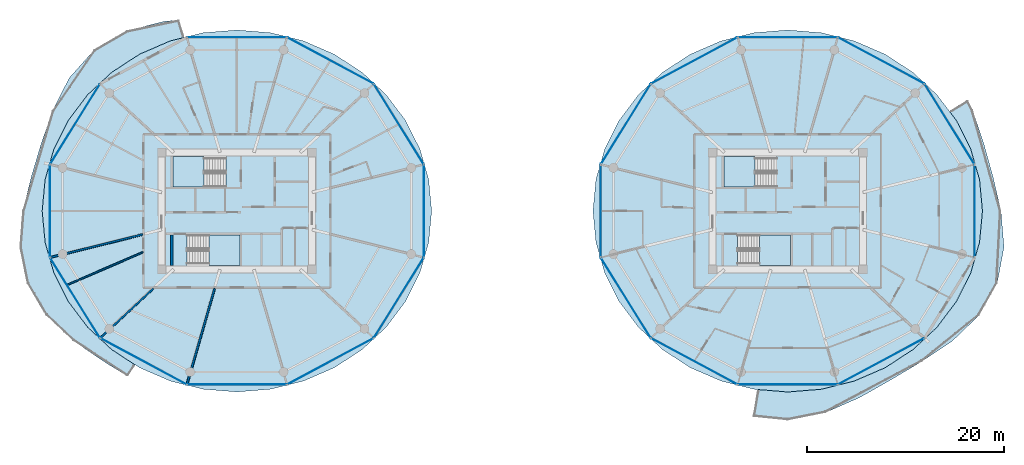
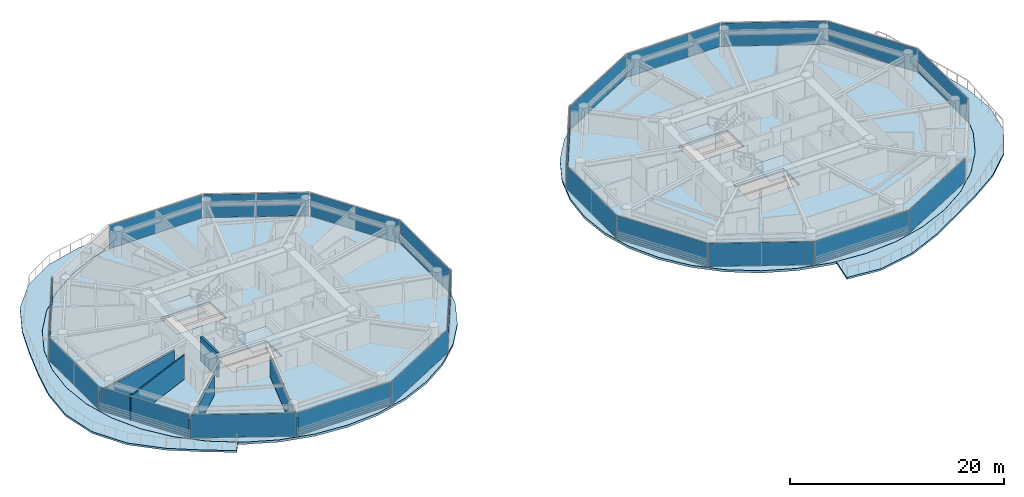
# One storey, part 14 of 27: 22 plates, 8 slabs, 5 walls, 26 elements without a shape of their own.
"""IFC4 building model written with IfcOpenShell, lengths in metres."""

from ifc_helpers import new_model, si_unit, direction, frame, frame_2d, origin, origin_2d, place, context, subcontext, project, spatial, polyline, rectangle, outline, extrude, source, transform, mapped, material, layer, layer_set, type_object, type_shapes, element, aggregate, save


model = new_model("IFC4")

# Units and contexts
model_context = context("Model", 3, precision=1e-05, world=origin(), true_north=direction((0.0, 1.0)))
body_context = subcontext(model_context, "Body", "Model", "MODEL_VIEW")
ifc_project = project(units=[si_unit("LENGTHUNIT", "METRE"), si_unit("AREAUNIT", "SQUARE_METRE"), si_unit("VOLUMEUNIT", "CUBIC_METRE"), si_unit("PLANEANGLEUNIT", "RADIAN"), si_unit("MASSUNIT", "GRAM", prefix="KILO")], contexts=[model_context])

# Site, building, storey
site_placement = place(None, origin())
site = spatial("IfcSite", under=ifc_project, at=site_placement, CompositionType="ELEMENT")
building_placement = place(site_placement, origin())
building = spatial("IfcBuilding", under=site, at=building_placement, Name="Norrkilde Senior Care Towers", CompositionType="ELEMENT")
storey_placement = place(building_placement, frame((0.0, 0.0, 30.75)))
storey = spatial("IfcBuildingStorey", under=building, at=storey_placement, Name="L08", CompositionType="ELEMENT", Elevation=30.75)

# Slabs
ifc_material_1 = material(Name="Concrete C50/60", Category="concrete")
ifc_layer_1 = layer(ifc_material_1, 0.215087890625)
ifc_layer_set_1 = layer_set([ifc_layer_1], Name="Concrete C50/60")
slab_type_1 = type_object("IfcSlabType", Name="Sinusoidal Balcony Ribbon Slab 215", PredefinedType="FLOOR", material=ifc_layer_set_1)
slab_1_placement = place(storey_placement, frame((0.0, 0.0, -0.215087890625)))
element("IfcSlab", 1, at=slab_1_placement, inside=storey, type_object=slab_type_1, Name="L08 Drum W Swirling Senior Balcony 1", PredefinedType="FLOOR", context=body_context, shape_type="SweptSolid", body=[
    extrude(outline(polyline([(-44.664794921875, -13.17919921875), (-47.392822265625, -10.594970703125), (-49.3056640625, -7.3505859375), (-50.0556640625, -3.68017578125), (-49.763916015625, 0.0), (-48.91455078125, 3.463623046875), (-47.91552734375, 6.80615234375), (-46.748779296875, 10.195068359375), (-45.0498046875, 13.526611328125), (-42.505859375, 16.376220703125), (-39.177001953125, 18.31494140625), (-35.444091796875, 19.277587890625), (-33.88720703125, 19.417236328125), (-33.351318359375, 17.649169921875), (-34.773681640625, 17.294921875), (-37.902587890625, 15.939208984375), (-40.73046875, 14.09912109375), (-43.171630859375, 11.83056640625), (-45.151611328125, 9.202392578125), (-46.610595703125, 6.294921875), (-47.504150390625, 3.196044921875), (-47.804931640625, 0.0), (-47.504150390625, -3.196044921875), (-46.610595703125, -6.294921875), (-45.151611328125, -9.202392578125), (-43.171630859375, -11.83056640625), (-40.73046875, -14.09912109375), (-38.34228515625, -15.653076171875), (-39.10986328125, -16.814697265625), (-41.629638671875, -15.252685546875), (-44.664794921875, -13.17919921875)])), origin(), (0.0, 0.0, 1.0), 0.215087890625),
])
slab_2_placement = place(storey_placement, frame((0.0, 0.0, -0.215087890625)))
element("IfcSlab", 2, at=slab_2_placement, inside=storey, type_object=slab_type_1, Name="L08 Drum E Swirling Senior Balcony 1", PredefinedType="FLOOR", context=body_context, shape_type="SweptSolid", body=[
    extrude(outline(polyline([(47.44140625, -10.625244140625), (44.724853515625, -13.2333984375), (41.658447265625, -15.289306640625), (38.546142578125, -17.139404296875), (35.336181640625, -18.958740234375), (31.828857421875, -20.50390625), (28.0, -21.261962890625), (24.4990234375, -20.905517578125), (24.958984375, -18.15771484375), (28.0, -18.405029296875), (31.439208984375, -18.12548828125), (34.773681640625, -17.294921875), (37.902587890625, -15.939208984375), (40.73046875, -14.09912109375), (43.171630859375, -11.83056640625), (45.151611328125, -9.202392578125), (46.610595703125, -6.294921875), (47.504150390625, -3.196044921875), (47.804931640625, 0.0), (47.504150390625, 3.196044921875), (46.610595703125, 6.294921875), (45.151611328125, 9.202392578125), (44.4658203125, 10.11279296875), (46.29931640625, 11.239013671875), (46.8154296875, 10.236328125), (47.947509765625, 6.818603515625), (48.880859375, 3.457275390625), (49.685546875, 0.0), (49.990478515625, -3.667724609375), (49.299072265625, -7.347900390625), (47.44140625, -10.625244140625)])), origin(), (0.0, 0.0, 1.0), 0.215087890625),
])

# Stair, slab
ifc_material_2 = material(Name="Concrete C45/55", Category="concrete")
stair_type = type_object("IfcStairType", Name="Core Protected Dogleg Stair Typical 3050", PredefinedType="HALF_TURN_STAIR", material=ifc_material_2)
stair_1_placement = place(storey_placement, origin())
stair_1 = element("IfcStair", 3, at=stair_1_placement, inside=storey, type_object=stair_type, Name="L08 Protected Core Stair W1", PredefinedType="HALF_TURN_STAIR")
ifc_layer_2 = layer(ifc_material_2, 0.199951171875)
ifc_layer_set_2 = layer_set([ifc_layer_2], Name="Concrete C45/55")
slab_type_2 = type_object("IfcSlabType", Name="Stair Landing Slab 200", PredefinedType="LANDING", material=ifc_layer_set_2)
slab_3_placement = place(storey_placement, frame((0.0, 0.0, 1.324951171875)))
slab_3 = element("IfcSlab", 4, at=slab_3_placement, type_object=slab_type_2, Name="ST-W1 landing 1", PredefinedType="LANDING", context=body_context, shape_type="SweptSolid", body=[
    extrude(outline(polyline([(-31.340087890625, 5.52490234375), (-34.5, 5.52490234375), (-34.5, 2.449951171875), (-31.340087890625, 2.449951171875), (-31.340087890625, 5.52490234375)])), origin(), (0.0, 0.0, 1.0), 0.199951171875),
])
aggregate(stair_1, [slab_3])

stair_2_placement = place(storey_placement, origin())
stair_2 = element("IfcStair", 5, at=stair_2_placement, inside=storey, type_object=stair_type, Name="L08 Protected Core Stair W2", PredefinedType="HALF_TURN_STAIR")
slab_4_placement = place(storey_placement, frame((0.0, 0.0, 1.324951171875)))
slab_4 = element("IfcSlab", 6, at=slab_4_placement, type_object=slab_type_2, Name="ST-W2 landing 1", PredefinedType="LANDING", context=body_context, shape_type="SweptSolid", body=[
    extrude(outline(polyline([(-30.860107421875, -5.52490234375), (-27.699951171875, -5.52490234375), (-27.699951171875, -2.449951171875), (-30.860107421875, -2.449951171875), (-30.860107421875, -5.52490234375)])), origin(), (0.0, 0.0, 1.0), 0.199951171875),
])
aggregate(stair_2, [slab_4])

stair_3_placement = place(storey_placement, origin())
stair_3 = element("IfcStair", 7, at=stair_3_placement, inside=storey, type_object=stair_type, Name="L08 Protected Core Stair E1", PredefinedType="HALF_TURN_STAIR")
slab_5_placement = place(storey_placement, frame((0.0, 0.0, 1.324951171875)))
slab_5 = element("IfcSlab", 8, at=slab_5_placement, type_object=slab_type_2, Name="ST-E1 landing 1", PredefinedType="LANDING", context=body_context, shape_type="SweptSolid", body=[
    extrude(outline(polyline([(24.659912109375, 5.52490234375), (21.5, 5.52490234375), (21.5, 2.449951171875), (24.659912109375, 2.449951171875), (24.659912109375, 5.52490234375)])), origin(), (0.0, 0.0, 1.0), 0.199951171875),
])
aggregate(stair_3, [slab_5])

stair_4_placement = place(storey_placement, origin())
stair_4 = element("IfcStair", 9, at=stair_4_placement, inside=storey, type_object=stair_type, Name="L08 Protected Core Stair E2", PredefinedType="HALF_TURN_STAIR")
slab_6_placement = place(storey_placement, frame((0.0, 0.0, 1.324951171875)))
slab_6 = element("IfcSlab", 10, at=slab_6_placement, type_object=slab_type_2, Name="ST-E2 landing 1", PredefinedType="LANDING", context=body_context, shape_type="SweptSolid", body=[
    extrude(outline(polyline([(25.139892578125, -5.52490234375), (28.300048828125, -5.52490234375), (28.300048828125, -2.449951171875), (25.139892578125, -2.449951171875), (25.139892578125, -5.52490234375)])), origin(), (0.0, 0.0, 1.0), 0.199951171875),
])
aggregate(stair_4, [slab_6])

# Slabs
ifc_layer_3 = layer(ifc_material_1, 0.260009765625)
ifc_layer_set_3 = layer_set([ifc_layer_3], Name="Concrete C50/60")
slab_type_3 = type_object("IfcSlabType", Name="Tower Care Floor Slab 260", PredefinedType="FLOOR", material=ifc_layer_set_3)
slab_7_placement = place(storey_placement, frame((0.0, 0.0, -0.260009765625)))
element("IfcSlab", 11, at=slab_7_placement, inside=storey, type_object=slab_type_3, Name="L08 Drum W Structural Floor Slab", PredefinedType="FLOOR", context=body_context, shape_type="SweptSolid", body=[
    extrude(outline(polyline([(-9.39404296875, -6.293212890625), (-10.852783203125, -9.199951171875), (-12.832275390625, -11.827392578125), (-15.272705078125, -14.09521484375), (-18.10009765625, -15.934814453125), (-21.22802734375, -17.290283203125), (-24.561767578125, -18.120361328125), (-28.0, -18.39990234375), (-31.438232421875, -18.120361328125), (-34.77197265625, -17.290283203125), (-37.89990234375, -15.934814453125), (-40.727294921875, -14.09521484375), (-43.167724609375, -11.827392578125), (-45.147216796875, -9.199951171875), (-46.60595703125, -6.293212890625), (-47.499267578125, -3.195068359375), (-47.800048828125, 0.0), (-47.499267578125, 3.195068359375), (-46.60595703125, 6.293212890625), (-45.147216796875, 9.199951171875), (-43.167724609375, 11.827392578125), (-40.727294921875, 14.09521484375), (-37.89990234375, 15.934814453125), (-34.77197265625, 17.290283203125), (-31.438232421875, 18.120361328125), (-28.0, 18.39990234375), (-24.561767578125, 18.120361328125), (-21.22802734375, 17.290283203125), (-18.10009765625, 15.934814453125), (-15.272705078125, 14.09521484375), (-12.832275390625, 11.827392578125), (-10.852783203125, 9.199951171875), (-9.39404296875, 6.293212890625), (-8.500732421875, 3.195068359375), (-8.199951171875, 0.0), (-8.500732421875, -3.195068359375), (-9.39404296875, -6.293212890625)]), holes=[polyline([(-34.48193359375, 2.468017578125), (-29.117919921875, 2.468017578125), (-29.117919921875, 5.52490234375), (-34.48193359375, 5.52490234375), (-34.48193359375, 2.468017578125)]), polyline([(-27.718017578125, -5.52490234375), (-27.718017578125, -2.468017578125), (-33.08203125, -2.468017578125), (-33.08203125, -5.52490234375), (-27.718017578125, -5.52490234375)])]), origin(), (0.0, 0.0, 1.0), 0.260009765625),
])
slab_8_placement = place(storey_placement, frame((0.0, 0.0, -0.260009765625)))
element("IfcSlab", 12, at=slab_8_placement, inside=storey, type_object=slab_type_3, Name="L08 Drum E Structural Floor Slab", PredefinedType="FLOOR", context=body_context, shape_type="SweptSolid", body=[
    extrude(outline(polyline([(46.60595703125, -6.293212890625), (45.147216796875, -9.199951171875), (43.167724609375, -11.827392578125), (40.727294921875, -14.09521484375), (37.89990234375, -15.934814453125), (34.77197265625, -17.290283203125), (31.438232421875, -18.120361328125), (28.0, -18.39990234375), (24.561767578125, -18.120361328125), (21.22802734375, -17.290283203125), (18.10009765625, -15.934814453125), (15.272705078125, -14.09521484375), (12.832275390625, -11.827392578125), (10.852783203125, -9.199951171875), (9.39404296875, -6.293212890625), (8.500732421875, -3.195068359375), (8.199951171875, 0.0), (8.500732421875, 3.195068359375), (9.39404296875, 6.293212890625), (10.852783203125, 9.199951171875), (12.832275390625, 11.827392578125), (15.272705078125, 14.09521484375), (18.10009765625, 15.934814453125), (21.22802734375, 17.290283203125), (24.561767578125, 18.120361328125), (28.0, 18.39990234375), (31.438232421875, 18.120361328125), (34.77197265625, 17.290283203125), (37.89990234375, 15.934814453125), (40.727294921875, 14.09521484375), (43.167724609375, 11.827392578125), (45.147216796875, 9.199951171875), (46.60595703125, 6.293212890625), (47.499267578125, 3.195068359375), (47.800048828125, 0.0), (47.499267578125, -3.195068359375), (46.60595703125, -6.293212890625)]), holes=[polyline([(21.51806640625, 2.468017578125), (26.882080078125, 2.468017578125), (26.882080078125, 5.52490234375), (21.51806640625, 5.52490234375), (21.51806640625, 2.468017578125)]), polyline([(28.281982421875, -5.52490234375), (28.281982421875, -2.468017578125), (22.91796875, -2.468017578125), (22.91796875, -5.52490234375), (28.281982421875, -5.52490234375)])]), origin(), (0.0, 0.0, 1.0), 0.260009765625),
])

# Curtain wall, plate
ifc_material_3 = material(Name="Triple Low-E Insulated Glazing", Category="glass")
ifc_layer_4 = layer(ifc_material_3, 0.199951171875)
ifc_layer_set_4 = layer_set([ifc_layer_4], Name="Triple Low-E Insulated Glazing")
curtain_wall_type = type_object("IfcCurtainWallType", Name="CW2 Zone 1 Memory Care Curtain Wall", PredefinedType="NOTDEFINED", material=ifc_layer_set_4)
curtain_wall_1_placement = place(storey_placement, origin())
curtain_wall_1 = element("IfcCurtainWall", 13, at=curtain_wall_1_placement, inside=storey, type_object=curtain_wall_type, Name="L08 Drum W Curtain Wall 00", PredefinedType="NOTDEFINED")
ifc_layer_5 = layer(ifc_material_3, 0.035888671875)
ifc_layer_set_5 = layer_set([ifc_layer_5], Name="Triple Low-E Insulated Glazing")
plate_type = type_object("IfcPlateType", Name="Triple Low-E Vision Curtain Panel 36", PredefinedType="CURTAIN_PANEL", material=ifc_layer_set_5)
shared_shape_1 = source(origin(), body_context, "Body", "SweptSolid", [
    extrude(rectangle(XDim=9.518798828125, YDim=0.035888671875, at=origin_2d()), origin(), (0.0, 0.0, 1.0), 2.669921875),
])
plate_1_placement = place(storey_placement, frame((-11.537353515625, 8.82861328125, 0.06005859375), z_axis=(0.0, 0.0, 1.0), x_axis=(0.527900951871, -0.849305943117, 0.0)))
plate_1 = element("IfcPlate", 14, at=plate_1_placement, type_object=plate_type, Name="CW-2 panel 1.1", PredefinedType="CURTAIN_PANEL", context=body_context, shape_type="MappedRepresentation", body=[
    mapped(shared_shape_1, transform((0.0, 0.0, 0.0), x_axis=(1.0, 0.0, 0.0), y_axis=(0.0, 1.0, 0.0), z_axis=(0.0, 0.0, 1.0), scale=1.0)),
])
aggregate(curtain_wall_1, [plate_1])

curtain_wall_2_placement = place(storey_placement, origin())
curtain_wall_2 = element("IfcCurtainWall", 15, at=curtain_wall_2_placement, inside=storey, type_object=curtain_wall_type, Name="L08 Drum W Curtain Wall 04", PredefinedType="NOTDEFINED")
plate_2_placement = place(storey_placement, frame((-44.462646484375, 8.82861328125, 0.06005859375), z_axis=(0.0, 0.0, 1.0), x_axis=(0.527900951871, 0.849305943117, 0.0)))
plate_2 = element("IfcPlate", 16, at=plate_2_placement, type_object=plate_type, Name="CW-2 panel 1.1", PredefinedType="CURTAIN_PANEL", context=body_context, shape_type="MappedRepresentation", body=[
    mapped(shared_shape_1, transform((0.0, 0.0, 0.0), x_axis=(1.0, 0.0, 0.0), y_axis=(0.0, 1.0, 0.0), z_axis=(0.0, 0.0, 1.0), scale=1.0)),
])
aggregate(curtain_wall_2, [plate_2])

curtain_wall_3_placement = place(storey_placement, origin())
curtain_wall_3 = element("IfcCurtainWall", 17, at=curtain_wall_3_placement, inside=storey, type_object=curtain_wall_type, Name="L08 Drum W Curtain Wall 06", PredefinedType="NOTDEFINED")
plate_3_placement = place(storey_placement, frame((-44.462646484375, -8.82861328125, 0.06005859375), z_axis=(0.0, 0.0, 1.0), x_axis=(-0.527900951871, 0.849305943117, 0.0)))
plate_3 = element("IfcPlate", 18, at=plate_3_placement, type_object=plate_type, Name="CW-2 panel 1.1", PredefinedType="CURTAIN_PANEL", context=body_context, shape_type="MappedRepresentation", body=[
    mapped(shared_shape_1, transform((0.0, 0.0, 0.0), x_axis=(1.0, 0.0, 0.0), y_axis=(0.0, 1.0, 0.0), z_axis=(0.0, 0.0, 1.0), scale=1.0)),
])
aggregate(curtain_wall_3, [plate_3])

curtain_wall_4_placement = place(storey_placement, origin())
curtain_wall_4 = element("IfcCurtainWall", 19, at=curtain_wall_4_placement, inside=storey, type_object=curtain_wall_type, Name="L08 Drum W Curtain Wall 10", PredefinedType="NOTDEFINED")
plate_4_placement = place(storey_placement, frame((-11.537353515625, -8.82861328125, 0.06005859375), z_axis=(0.0, 0.0, 1.0), x_axis=(-0.527900951871, -0.849305943117, 0.0)))
plate_4 = element("IfcPlate", 20, at=plate_4_placement, type_object=plate_type, Name="CW-2 panel 1.1", PredefinedType="CURTAIN_PANEL", context=body_context, shape_type="MappedRepresentation", body=[
    mapped(shared_shape_1, transform((0.0, 0.0, 0.0), x_axis=(1.0, 0.0, 0.0), y_axis=(0.0, 1.0, 0.0), z_axis=(0.0, 0.0, 1.0), scale=1.0)),
])
aggregate(curtain_wall_4, [plate_4])

curtain_wall_5_placement = place(storey_placement, origin())
curtain_wall_5 = element("IfcCurtainWall", 21, at=curtain_wall_5_placement, inside=storey, type_object=curtain_wall_type, Name="L08 Drum E Curtain Wall 00", PredefinedType="NOTDEFINED")
plate_5_placement = place(storey_placement, frame((44.462646484375, 8.82861328125, 0.06005859375), z_axis=(0.0, 0.0, 1.0), x_axis=(0.527900951871, -0.849305943117, 0.0)))
plate_5 = element("IfcPlate", 22, at=plate_5_placement, type_object=plate_type, Name="CW-2 panel 1.1", PredefinedType="CURTAIN_PANEL", context=body_context, shape_type="MappedRepresentation", body=[
    mapped(shared_shape_1, transform((0.0, 0.0, 0.0), x_axis=(1.0, 0.0, 0.0), y_axis=(0.0, 1.0, 0.0), z_axis=(0.0, 0.0, 1.0), scale=1.0)),
])
aggregate(curtain_wall_5, [plate_5])

curtain_wall_6_placement = place(storey_placement, origin())
curtain_wall_6 = element("IfcCurtainWall", 23, at=curtain_wall_6_placement, inside=storey, type_object=curtain_wall_type, Name="L08 Drum E Curtain Wall 04", PredefinedType="NOTDEFINED")
plate_6_placement = place(storey_placement, frame((11.537353515625, 8.82861328125, 0.06005859375), z_axis=(0.0, 0.0, 1.0), x_axis=(0.527900951871, 0.849305943117, 0.0)))
plate_6 = element("IfcPlate", 24, at=plate_6_placement, type_object=plate_type, Name="CW-2 panel 1.1", PredefinedType="CURTAIN_PANEL", context=body_context, shape_type="MappedRepresentation", body=[
    mapped(shared_shape_1, transform((0.0, 0.0, 0.0), x_axis=(1.0, 0.0, 0.0), y_axis=(0.0, 1.0, 0.0), z_axis=(0.0, 0.0, 1.0), scale=1.0)),
])
aggregate(curtain_wall_6, [plate_6])

curtain_wall_7_placement = place(storey_placement, origin())
curtain_wall_7 = element("IfcCurtainWall", 25, at=curtain_wall_7_placement, inside=storey, type_object=curtain_wall_type, Name="L08 Drum E Curtain Wall 06", PredefinedType="NOTDEFINED")
plate_7_placement = place(storey_placement, frame((11.537353515625, -8.82861328125, 0.06005859375), z_axis=(0.0, 0.0, 1.0), x_axis=(-0.527900951871, 0.849305943117, 0.0)))
plate_7 = element("IfcPlate", 26, at=plate_7_placement, type_object=plate_type, Name="CW-2 panel 1.1", PredefinedType="CURTAIN_PANEL", context=body_context, shape_type="MappedRepresentation", body=[
    mapped(shared_shape_1, transform((0.0, 0.0, 0.0), x_axis=(1.0, 0.0, 0.0), y_axis=(0.0, 1.0, 0.0), z_axis=(0.0, 0.0, 1.0), scale=1.0)),
])
aggregate(curtain_wall_7, [plate_7])

curtain_wall_8_placement = place(storey_placement, origin())
curtain_wall_8 = element("IfcCurtainWall", 27, at=curtain_wall_8_placement, inside=storey, type_object=curtain_wall_type, Name="L08 Drum W Curtain Wall 01", PredefinedType="NOTDEFINED")
shared_shape_2 = source(origin(), body_context, "Body", "SweptSolid", [
    extrude(rectangle(XDim=9.880859375, YDim=0.035888671875, at=origin_2d()), origin(), (0.0, 0.0, 1.0), 2.669921875),
])
plate_8_placement = place(storey_placement, frame((-18.495361328125, 15.29150390625, 0.06005859375), z_axis=(0.0, 0.0, 1.0), x_axis=(0.881272866403, -0.472607802456, 0.0)))
plate_8 = element("IfcPlate", 28, at=plate_8_placement, type_object=plate_type, Name="CW-2 panel 1.1", PredefinedType="CURTAIN_PANEL", context=body_context, shape_type="MappedRepresentation", body=[
    mapped(shared_shape_2, transform((0.0, 0.0, 0.0), x_axis=(1.0, 0.0, 0.0), y_axis=(0.0, 1.0, 0.0), z_axis=(0.0, 0.0, 1.0), scale=1.0)),
])
aggregate(curtain_wall_8, [plate_8])

curtain_wall_9_placement = place(storey_placement, origin())
curtain_wall_9 = element("IfcCurtainWall", 29, at=curtain_wall_9_placement, inside=storey, type_object=curtain_wall_type, Name="L08 Drum W Curtain Wall 07", PredefinedType="NOTDEFINED")
plate_9_placement = place(storey_placement, frame((-37.504638671875, -15.29150390625, 0.06005859375), z_axis=(0.0, 0.0, 1.0), x_axis=(-0.881272866403, 0.472607802456, 0.0)))
plate_9 = element("IfcPlate", 30, at=plate_9_placement, type_object=plate_type, Name="CW-2 panel 1.1", PredefinedType="CURTAIN_PANEL", context=body_context, shape_type="MappedRepresentation", body=[
    mapped(shared_shape_2, transform((0.0, 0.0, 0.0), x_axis=(1.0, 0.0, 0.0), y_axis=(0.0, 1.0, 0.0), z_axis=(0.0, 0.0, 1.0), scale=1.0)),
])
aggregate(curtain_wall_9, [plate_9])

curtain_wall_10_placement = place(storey_placement, origin())
curtain_wall_10 = element("IfcCurtainWall", 31, at=curtain_wall_10_placement, inside=storey, type_object=curtain_wall_type, Name="L08 Drum W Curtain Wall 09", PredefinedType="NOTDEFINED")
plate_10_placement = place(storey_placement, frame((-18.495361328125, -15.29150390625, 0.06005859375), z_axis=(0.0, 0.0, 1.0), x_axis=(-0.881272866403, -0.472607802456, 0.0)))
plate_10 = element("IfcPlate", 32, at=plate_10_placement, type_object=plate_type, Name="CW-2 panel 1.1", PredefinedType="CURTAIN_PANEL", context=body_context, shape_type="MappedRepresentation", body=[
    mapped(shared_shape_2, transform((0.0, 0.0, 0.0), x_axis=(1.0, 0.0, 0.0), y_axis=(0.0, 1.0, 0.0), z_axis=(0.0, 0.0, 1.0), scale=1.0)),
])
aggregate(curtain_wall_10, [plate_10])

curtain_wall_11_placement = place(storey_placement, origin())
curtain_wall_11 = element("IfcCurtainWall", 33, at=curtain_wall_11_placement, inside=storey, type_object=curtain_wall_type, Name="L08 Drum E Curtain Wall 01", PredefinedType="NOTDEFINED")
plate_11_placement = place(storey_placement, frame((37.504638671875, 15.29150390625, 0.06005859375), z_axis=(0.0, 0.0, 1.0), x_axis=(0.881272866403, -0.472607802456, 0.0)))
plate_11 = element("IfcPlate", 34, at=plate_11_placement, type_object=plate_type, Name="CW-2 panel 1.1", PredefinedType="CURTAIN_PANEL", context=body_context, shape_type="MappedRepresentation", body=[
    mapped(shared_shape_2, transform((0.0, 0.0, 0.0), x_axis=(1.0, 0.0, 0.0), y_axis=(0.0, 1.0, 0.0), z_axis=(0.0, 0.0, 1.0), scale=1.0)),
])
aggregate(curtain_wall_11, [plate_11])

curtain_wall_12_placement = place(storey_placement, origin())
curtain_wall_12 = element("IfcCurtainWall", 35, at=curtain_wall_12_placement, inside=storey, type_object=curtain_wall_type, Name="L08 Drum E Curtain Wall 03", PredefinedType="NOTDEFINED")
plate_12_placement = place(storey_placement, frame((18.495361328125, 15.29150390625, 0.06005859375), z_axis=(0.0, 0.0, 1.0), x_axis=(0.881272866403, 0.472607802456, 0.0)))
plate_12 = element("IfcPlate", 36, at=plate_12_placement, type_object=plate_type, Name="CW-2 panel 1.1", PredefinedType="CURTAIN_PANEL", context=body_context, shape_type="MappedRepresentation", body=[
    mapped(shared_shape_2, transform((0.0, 0.0, 0.0), x_axis=(1.0, 0.0, 0.0), y_axis=(0.0, 1.0, 0.0), z_axis=(0.0, 0.0, 1.0), scale=1.0)),
])
aggregate(curtain_wall_12, [plate_12])

curtain_wall_13_placement = place(storey_placement, origin())
curtain_wall_13 = element("IfcCurtainWall", 37, at=curtain_wall_13_placement, inside=storey, type_object=curtain_wall_type, Name="L08 Drum E Curtain Wall 07", PredefinedType="NOTDEFINED")
plate_13_placement = place(storey_placement, frame((18.495361328125, -15.29150390625, 0.06005859375), z_axis=(0.0, 0.0, 1.0), x_axis=(-0.881272866403, 0.472607802456, 0.0)))
plate_13 = element("IfcPlate", 38, at=plate_13_placement, type_object=plate_type, Name="CW-2 panel 1.1", PredefinedType="CURTAIN_PANEL", context=body_context, shape_type="MappedRepresentation", body=[
    mapped(shared_shape_2, transform((0.0, 0.0, 0.0), x_axis=(1.0, 0.0, 0.0), y_axis=(0.0, 1.0, 0.0), z_axis=(0.0, 0.0, 1.0), scale=1.0)),
])
aggregate(curtain_wall_13, [plate_13])

curtain_wall_14_placement = place(storey_placement, origin())
curtain_wall_14 = element("IfcCurtainWall", 39, at=curtain_wall_14_placement, inside=storey, type_object=curtain_wall_type, Name="L08 Drum E Curtain Wall 09", PredefinedType="NOTDEFINED")
plate_14_placement = place(storey_placement, frame((37.504638671875, -15.29150390625, 0.06005859375), z_axis=(0.0, 0.0, 1.0), x_axis=(-0.881272866403, -0.472607802456, 0.0)))
plate_14 = element("IfcPlate", 40, at=plate_14_placement, type_object=plate_type, Name="CW-2 panel 1.1", PredefinedType="CURTAIN_PANEL", context=body_context, shape_type="MappedRepresentation", body=[
    mapped(shared_shape_2, transform((0.0, 0.0, 0.0), x_axis=(1.0, 0.0, 0.0), y_axis=(0.0, 1.0, 0.0), z_axis=(0.0, 0.0, 1.0), scale=1.0)),
])
aggregate(curtain_wall_14, [plate_14])

curtain_wall_15_placement = place(storey_placement, origin())
curtain_wall_15 = element("IfcCurtainWall", 41, at=curtain_wall_15_placement, inside=storey, type_object=curtain_wall_type, Name="L08 Drum W Curtain Wall 05", PredefinedType="NOTDEFINED")
shared_shape_3 = source(origin(), body_context, "Body", "SweptSolid", [
    extrude(rectangle(XDim=9.33251953125, YDim=0.035888671875, at=origin_2d()), origin(), (0.0, 0.0, 1.0), 2.669921875),
])
plate_15_placement = place(storey_placement, frame((-47.009521484375, 0.0, 0.06005859375), z_axis=(0.0, 0.0, 1.0), x_axis=(0.0, 1.0, 0.0)))
plate_15 = element("IfcPlate", 42, at=plate_15_placement, type_object=plate_type, Name="CW-2 panel 1.1", PredefinedType="CURTAIN_PANEL", context=body_context, shape_type="MappedRepresentation", body=[
    mapped(shared_shape_3, transform((0.0, 0.0, 0.0), x_axis=(1.0, 0.0, 0.0), y_axis=(0.0, 1.0, 0.0), z_axis=(0.0, 0.0, 1.0), scale=1.0)),
])
aggregate(curtain_wall_15, [plate_15])

curtain_wall_16_placement = place(storey_placement, origin())
curtain_wall_16 = element("IfcCurtainWall", 43, at=curtain_wall_16_placement, inside=storey, type_object=curtain_wall_type, Name="L08 Drum W Curtain Wall 11", PredefinedType="NOTDEFINED")
plate_16_placement = place(storey_placement, frame((-8.990478515625, 0.0, 0.06005859375), z_axis=(0.0, 0.0, 1.0), x_axis=(0.0, -1.0, 0.0)))
plate_16 = element("IfcPlate", 44, at=plate_16_placement, type_object=plate_type, Name="CW-2 panel 1.1", PredefinedType="CURTAIN_PANEL", context=body_context, shape_type="MappedRepresentation", body=[
    mapped(shared_shape_3, transform((0.0, 0.0, 0.0), x_axis=(1.0, 0.0, 0.0), y_axis=(0.0, 1.0, 0.0), z_axis=(0.0, 0.0, 1.0), scale=1.0)),
])
aggregate(curtain_wall_16, [plate_16])

curtain_wall_17_placement = place(storey_placement, origin())
curtain_wall_17 = element("IfcCurtainWall", 45, at=curtain_wall_17_placement, inside=storey, type_object=curtain_wall_type, Name="L08 Drum E Curtain Wall 05", PredefinedType="NOTDEFINED")
plate_17_placement = place(storey_placement, frame((8.990478515625, 0.0, 0.06005859375), z_axis=(0.0, 0.0, 1.0), x_axis=(0.0, 1.0, 0.0)))
plate_17 = element("IfcPlate", 46, at=plate_17_placement, type_object=plate_type, Name="CW-2 panel 1.1", PredefinedType="CURTAIN_PANEL", context=body_context, shape_type="MappedRepresentation", body=[
    mapped(shared_shape_3, transform((0.0, 0.0, 0.0), x_axis=(1.0, 0.0, 0.0), y_axis=(0.0, 1.0, 0.0), z_axis=(0.0, 0.0, 1.0), scale=1.0)),
])
aggregate(curtain_wall_17, [plate_17])

curtain_wall_18_placement = place(storey_placement, origin())
curtain_wall_18 = element("IfcCurtainWall", 47, at=curtain_wall_18_placement, inside=storey, type_object=curtain_wall_type, Name="L08 Drum E Curtain Wall 11", PredefinedType="NOTDEFINED")
plate_18_placement = place(storey_placement, frame((47.009521484375, 0.0, 0.06005859375), z_axis=(0.0, 0.0, 1.0), x_axis=(0.0, -1.0, 0.0)))
plate_18 = element("IfcPlate", 48, at=plate_18_placement, type_object=plate_type, Name="CW-2 panel 1.1", PredefinedType="CURTAIN_PANEL", context=body_context, shape_type="MappedRepresentation", body=[
    mapped(shared_shape_3, transform((0.0, 0.0, 0.0), x_axis=(1.0, 0.0, 0.0), y_axis=(0.0, 1.0, 0.0), z_axis=(0.0, 0.0, 1.0), scale=1.0)),
])
aggregate(curtain_wall_18, [plate_18])

curtain_wall_19_placement = place(storey_placement, origin())
curtain_wall_19 = element("IfcCurtainWall", 49, at=curtain_wall_19_placement, inside=storey, type_object=curtain_wall_type, Name="L08 Drum W Curtain Wall 02", PredefinedType="NOTDEFINED")
shared_shape_4 = source(origin(), body_context, "Body", "SweptSolid", [
    extrude(rectangle(XDim=10.05712890625, YDim=0.035888671875, at=origin_2d()), origin(), (0.0, 0.0, 1.0), 2.669921875),
])
type_shapes(plate_type, [shared_shape_1, shared_shape_2, shared_shape_3, shared_shape_4])
plate_19_placement = place(storey_placement, frame((-28.0, 17.6572265625, 0.06005859375), z_axis=(0.0, 0.0, 1.0), x_axis=(1.0, 0.0, 0.0)))
plate_19 = element("IfcPlate", 50, at=plate_19_placement, type_object=plate_type, Name="CW-2 panel 1.1", PredefinedType="CURTAIN_PANEL", context=body_context, shape_type="MappedRepresentation", body=[
    mapped(shared_shape_4, transform((0.0, 0.0, 0.0), x_axis=(1.0, 0.0, 0.0), y_axis=(0.0, 1.0, 0.0), z_axis=(0.0, 0.0, 1.0), scale=1.0)),
])
aggregate(curtain_wall_19, [plate_19])

curtain_wall_20_placement = place(storey_placement, origin())
curtain_wall_20 = element("IfcCurtainWall", 51, at=curtain_wall_20_placement, inside=storey, type_object=curtain_wall_type, Name="L08 Drum W Curtain Wall 08", PredefinedType="NOTDEFINED")
plate_20_placement = place(storey_placement, frame((-28.0, -17.6572265625, 0.06005859375), z_axis=(0.0, 0.0, 1.0), x_axis=(-1.0, 0.0, 0.0)))
plate_20 = element("IfcPlate", 52, at=plate_20_placement, type_object=plate_type, Name="CW-2 panel 1.1", PredefinedType="CURTAIN_PANEL", context=body_context, shape_type="MappedRepresentation", body=[
    mapped(shared_shape_4, transform((0.0, 0.0, 0.0), x_axis=(1.0, 0.0, 0.0), y_axis=(0.0, 1.0, 0.0), z_axis=(0.0, 0.0, 1.0), scale=1.0)),
])
aggregate(curtain_wall_20, [plate_20])

curtain_wall_21_placement = place(storey_placement, origin())
curtain_wall_21 = element("IfcCurtainWall", 53, at=curtain_wall_21_placement, inside=storey, type_object=curtain_wall_type, Name="L08 Drum E Curtain Wall 02", PredefinedType="NOTDEFINED")
plate_21_placement = place(storey_placement, frame((28.0, 17.6572265625, 0.06005859375), z_axis=(0.0, 0.0, 1.0), x_axis=(1.0, 0.0, 0.0)))
plate_21 = element("IfcPlate", 54, at=plate_21_placement, type_object=plate_type, Name="CW-2 panel 1.1", PredefinedType="CURTAIN_PANEL", context=body_context, shape_type="MappedRepresentation", body=[
    mapped(shared_shape_4, transform((0.0, 0.0, 0.0), x_axis=(1.0, 0.0, 0.0), y_axis=(0.0, 1.0, 0.0), z_axis=(0.0, 0.0, 1.0), scale=1.0)),
])
aggregate(curtain_wall_21, [plate_21])

curtain_wall_22_placement = place(storey_placement, origin())
curtain_wall_22 = element("IfcCurtainWall", 55, at=curtain_wall_22_placement, inside=storey, type_object=curtain_wall_type, Name="L08 Drum E Curtain Wall 08", PredefinedType="NOTDEFINED")
plate_22_placement = place(storey_placement, frame((28.0, -17.6572265625, 0.06005859375), z_axis=(0.0, 0.0, 1.0), x_axis=(-1.0, 0.0, 0.0)))
plate_22 = element("IfcPlate", 56, at=plate_22_placement, type_object=plate_type, Name="CW-2 panel 1.1", PredefinedType="CURTAIN_PANEL", context=body_context, shape_type="MappedRepresentation", body=[
    mapped(shared_shape_4, transform((0.0, 0.0, 0.0), x_axis=(1.0, 0.0, 0.0), y_axis=(0.0, 1.0, 0.0), z_axis=(0.0, 0.0, 1.0), scale=1.0)),
])
aggregate(curtain_wall_22, [plate_22])

# Walls
ifc_layer_6 = layer(ifc_material_2, 0.239990234375)
ifc_layer_set_6 = layer_set([ifc_layer_6], Name="Concrete C45/55")
wall_type_1 = type_object("IfcWallType", Name="Shaft and Stair Enclosure Wall 240", PredefinedType="PARTITIONING", material=ifc_layer_set_6)
shared_shape_5 = source(origin(), body_context, "Body", "SweptSolid", [
    extrude(rectangle(XDim=3.074951171875, YDim=0.239990234375, at=frame_2d((1.53759765625, 0.0))), origin(), (0.0, 0.0, 1.0), 2.7900390625),
])
type_shapes(wall_type_1, [shared_shape_5])
wall_1_placement = place(storey_placement, frame((-34.6201171875, -5.52490234375, 0.0), z_axis=(0.0, 0.0, 1.0), x_axis=(0.0, 1.0, 0.0)))
element("IfcWall", 57, at=wall_1_placement, inside=storey, type_object=wall_type_1, Name="WL-INT-L08-W-ST2W", PredefinedType="PARTITIONING", context=body_context, shape_type="MappedRepresentation", body=[
    mapped(shared_shape_5, transform((0.0, 0.0, 0.0), x_axis=(1.0, 0.0, 0.0), y_axis=(0.0, 1.0, 0.0), z_axis=(0.0, 0.0, 1.0), scale=1.0)),
])
ifc_material_4 = material(Name="Gypsum Acoustic Board")
ifc_layer_7 = layer(ifc_material_4, 0.18994140625)
ifc_layer_set_7 = layer_set([ifc_layer_7], Name="Gypsum Acoustic Board")
wall_type_2 = type_object("IfcWallType", Name="Unit Demising Acoustic Wall 190", PredefinedType="PARTITIONING", material=ifc_layer_set_7)
shared_shape_6 = source(origin(), body_context, "Body", "SweptSolid", [
    extrude(rectangle(XDim=7.4345703125, YDim=0.18994140625, at=frame_2d((3.71728515625, 0.0))), origin(), (0.0, 0.0, 1.0), 2.22509765625),
])
wall_2_placement = place(storey_placement, frame((-36.48291015625, -7.8798828125, 0.0), z_axis=(0.0, 0.0, 1.0), x_axis=(-0.732651956848, -0.680603489652, 0.0)))
element("IfcWall", 58, at=wall_2_placement, inside=storey, type_object=wall_type_2, Name="WL-INT-L08-W-DEM-07-0", PredefinedType="PARTITIONING", context=body_context, shape_type="MappedRepresentation", body=[
    mapped(shared_shape_6, transform((0.0, 0.0, 0.0), x_axis=(1.0, 0.0, 0.0), y_axis=(0.0, 1.0, 0.0), z_axis=(0.0, 0.0, 1.0), scale=1.0)),
])
shared_shape_7 = source(origin(), body_context, "Body", "SweptSolid", [
    extrude(rectangle(XDim=10.196044921875, YDim=0.18994140625, at=frame_2d((5.09814453125, 0.0))), origin(), (0.0, 0.0, 1.0), 2.22509765625),
])
wall_3_placement = place(storey_placement, frame((-30.27294921875, -7.8798828125, 0.0), z_axis=(0.0, 0.0, 1.0), x_axis=(-0.277136420347, -0.960830580549, 0.0)))
element("IfcWall", 59, at=wall_3_placement, inside=storey, type_object=wall_type_2, Name="WL-INT-L08-W-DEM-08-0", PredefinedType="PARTITIONING", context=body_context, shape_type="MappedRepresentation", body=[
    mapped(shared_shape_7, transform((0.0, 0.0, 0.0), x_axis=(1.0, 0.0, 0.0), y_axis=(0.0, 1.0, 0.0), z_axis=(0.0, 0.0, 1.0), scale=1.0)),
])
shared_shape_8 = source(origin(), body_context, "Body", "SweptSolid", [
    extrude(rectangle(XDim=9.737060546875, YDim=0.18994140625, at=frame_2d((4.86865234375, 0.0))), origin(), (0.0, 0.0, 1.0), 2.22509765625),
])
type_shapes(wall_type_2, [shared_shape_6, shared_shape_7, shared_shape_8])
wall_4_placement = place(storey_placement, frame((-37.580078125, -2.384521484375, 0.0), z_axis=(0.0, 0.0, 1.0), x_axis=(-0.970392716238, -0.241532557375, 0.0)))
element("IfcWall", 60, at=wall_4_placement, inside=storey, type_object=wall_type_2, Name="WL-INT-L08-W-DEM-06-0", PredefinedType="PARTITIONING", context=body_context, shape_type="MappedRepresentation", body=[
    mapped(shared_shape_8, transform((0.0, 0.0, 0.0), x_axis=(1.0, 0.0, 0.0), y_axis=(0.0, 1.0, 0.0), z_axis=(0.0, 0.0, 1.0), scale=1.0)),
])
ifc_layer_8 = layer(ifc_material_4, 0.139892578125)
ifc_layer_set_8 = layer_set([ifc_layer_8], Name="Gypsum Acoustic Board")
wall_type_3 = type_object("IfcWallType", Name="En-suite Wet Room Wall 140", PredefinedType="PARTITIONING", material=ifc_layer_set_8)
shared_shape_9 = source(origin(), body_context, "Body", "SweptSolid", [
    extrude(rectangle(XDim=8.4521484375, YDim=0.139892578125, at=frame_2d((4.22607421875, 0.0))), origin(), (0.0, 0.0, 1.0), 2.77490234375),
])
type_shapes(wall_type_3, [shared_shape_9])
wall_5_placement = place(storey_placement, frame((-37.530029296875, -4.1875, 0.0), z_axis=(0.0, 0.0, 1.0), x_axis=(-0.918706709896, -0.394940478036, 0.0)))
element("IfcWall", 61, at=wall_5_placement, inside=storey, type_object=wall_type_3, Name="WL-INT-L08-W-MID-06", PredefinedType="PARTITIONING", context=body_context, shape_type="MappedRepresentation", body=[
    mapped(shared_shape_9, transform((0.0, 0.0, 0.0), x_axis=(1.0, 0.0, 0.0), y_axis=(0.0, 1.0, 0.0), z_axis=(0.0, 0.0, 1.0), scale=1.0)),
])

save(model, "model.ifc")
